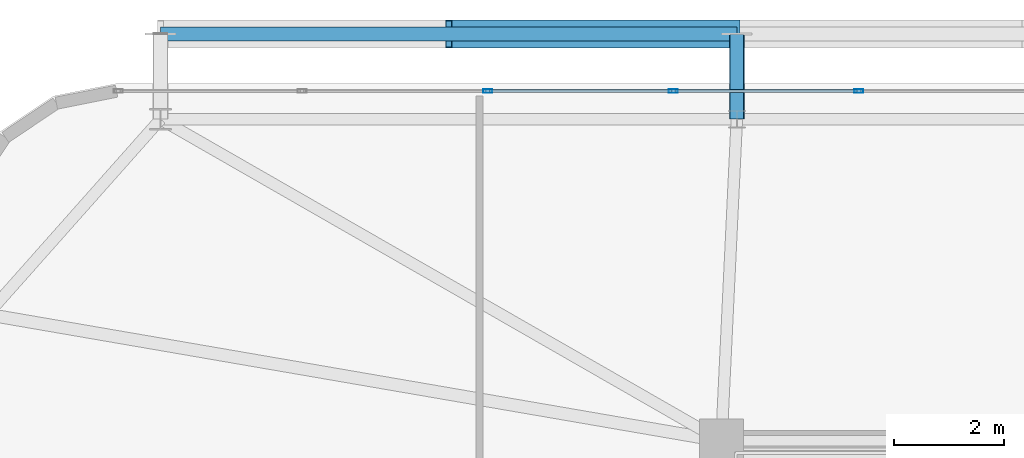
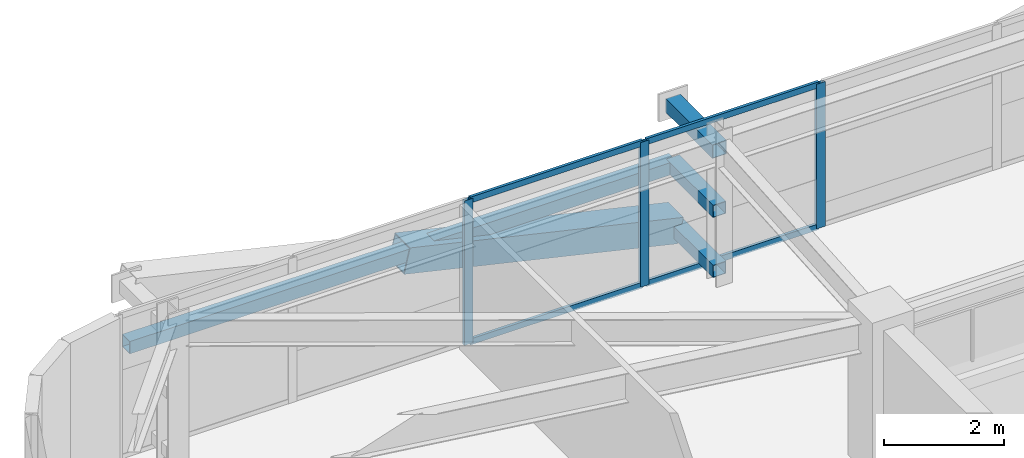
# One storey, part 35 of 59: 12 members, 1 element without a shape of its own.
"""IFC4 building model written with IfcOpenShell, lengths in metres."""

from ifc_helpers import new_model, si_unit, direction, frame, origin, origin_2d, place, context, subcontext, project, spatial, hollow_rectangle, extrude, source, transform, mapped, material, layer, layer_set, material_profile, profile_set, type_object, element, aggregate, save


model = new_model("IFC4")

# Units and contexts
model_context = context("Model", 3, precision=1e-05, world=origin(), true_north=direction((0.0, 1.0)))
body_context = subcontext(model_context, "Body", "Model", "MODEL_VIEW")
ifc_project = project(units=[si_unit("LENGTHUNIT", "METRE"), si_unit("AREAUNIT", "SQUARE_METRE"), si_unit("VOLUMEUNIT", "CUBIC_METRE"), si_unit("PLANEANGLEUNIT", "RADIAN"), si_unit("MASSUNIT", "GRAM", prefix="KILO")], contexts=[model_context])

# Site, building, storey
site_placement = place(None, origin())
site = spatial("IfcSite", under=ifc_project, at=site_placement, CompositionType="ELEMENT")
building_placement = place(site_placement, origin())
building = spatial("IfcBuilding", under=site, at=building_placement, Name="Taldren Reach Tower", CompositionType="ELEMENT")
storey_placement = place(building_placement, frame((0.0, 0.0, 45.14990234375)))
storey = spatial("IfcBuildingStorey", under=building, at=storey_placement, Name="L13", CompositionType="ELEMENT", Elevation=45.14990234375)

# Members
ifc_material_1 = material(Name="Steel Gr 450 (C450L0)", Category="steel")
ifc_material_profile_1 = material_profile(ifc_material_1, hollow_rectangle(XDim=0.27490234375, YDim=0.27490234375, WallThickness=0.00927734375, at=origin_2d()), Name="275x275x9.3SHS")
ifc_profile_set_1 = profile_set([ifc_material_profile_1], Name="Steel Gr 450 (C450L0)")
member_type_1 = type_object("IfcMemberType", Name="MB-TIE273", PredefinedType="STRUT", material=ifc_profile_set_1)
shared_shape_1 = source(origin(), body_context, "Body", "SweptSolid", [
    extrude(hollow_rectangle(XDim=0.27490234375, YDim=0.27490234375, WallThickness=0.00927734375, at=origin_2d()), origin(), (0.0, 0.0, 1.0), 1.5498046875),
])
member_1_placement = place(storey_placement, frame((19.280029296875, 37.85009765625, 2.650146484375), z_axis=(0.0, 1.0, 0.0), x_axis=(-1.0, 0.0, 0.0)))
element("IfcMember", 1, at=member_1_placement, inside=storey, type_object=member_type_1, Name="Exoskeleton diaphragm tie strut B1-N2 L13", PredefinedType="STRUT", context=body_context, shape_type="MappedRepresentation", body=[
    mapped(shared_shape_1, transform((0.0, 0.0, 0.0), scale=1.0)),
])
ifc_material_profile_2 = material_profile(ifc_material_1, hollow_rectangle(XDim=0.510009765625, YDim=0.510009765625, WallThickness=0.02001953125, at=origin_2d()), Name="510x510x20.0SHS")
ifc_profile_set_2 = profile_set([ifc_material_profile_2], Name="Steel Gr 450 (C450L0)")
member_type_2 = type_object("IfcMemberType", Name="MB-EXO508", PredefinedType="BRACE", material=ifc_profile_set_2)
shared_shape_2 = source(origin(), body_context, "Body", "SweptSolid", [
    extrude(hollow_rectangle(XDim=0.510009765625, YDim=0.510009765625, WallThickness=0.02001953125, at=origin_2d()), origin(), (0.0, 0.0, 1.0), 5.37890625),
])
member_2_placement = place(storey_placement, frame((19.280029296875, 39.39990234375, 0.22021484375), z_axis=(-0.974161966843, 0.0, 0.225850531007), x_axis=(0.0, -1.0, 0.0)))
element("IfcMember", 2, at=member_2_placement, inside=storey, type_object=member_type_2, Name="Exoskeleton Diagrid Brace B1-N1 L13", PredefinedType="BRACE", context=body_context, shape_type="MappedRepresentation", body=[
    mapped(shared_shape_2, transform((0.0, 0.0, 0.0), scale=1.0)),
])
ifc_material_2 = material(Name="Steel Gr 350 (C350L0)", Category="steel")
ifc_material_profile_3 = material_profile(ifc_material_2, hollow_rectangle(XDim=0.25, YDim=0.25, WallThickness=0.010009765625, at=origin_2d()), Name="250x250x10.0SHS")
ifc_profile_set_3 = profile_set([ifc_material_profile_3], Name="Steel Gr 350 (C350L0)")
member_type_3 = type_object("IfcMemberType", Name="MB-POST250", PredefinedType="POST", material=ifc_profile_set_3)
shared_shape_3 = source(origin(), body_context, "Body", "SweptSolid", [
    extrude(hollow_rectangle(XDim=0.25, YDim=0.25, WallThickness=0.010009765625, at=origin_2d()), origin(), (0.0, 0.0, 1.0), 10.47998046875),
])
member_3_placement = place(storey_placement, frame((8.800048828125, 39.39990234375, 1.43505859375), z_axis=(1.0, 0.0, 0.0), x_axis=(0.0, 1.0, 0.0)))
element("IfcMember", 3, at=member_3_placement, inside=storey, type_object=member_type_3, Name="Exoskeleton mid-height ring chord B1-N1 L13", PredefinedType="POST", context=body_context, shape_type="MappedRepresentation", body=[
    mapped(shared_shape_3, transform((0.0, 0.0, 0.0), scale=1.0)),
])
shared_shape_4 = source(origin(), body_context, "Body", "SweptSolid", [
    extrude(hollow_rectangle(XDim=0.25, YDim=0.25, WallThickness=0.010009765625, at=origin_2d()), origin(), (0.0, 0.0, 1.0), 1.5498046875),
])
for number, where, z_axis, x_axis, name in (
    (4, (19.280029296875, 37.85009765625, 0.22021484375), (0.0, 1.0, 0.0), (-1.0, 0.0, 0.0), "Exoskeleton base diaphragm tie strut B1-N2 L13"),
    (5, (19.280029296875, 37.85009765625, 1.43505859375), (0.0, 1.0, 0.0), (-1.0, 0.0, 0.0), "Exoskeleton mid-tier diaphragm tie B1-N2 L13"),
):
    element("IfcMember", number, at=place(storey_placement, frame(where, z_axis=z_axis, x_axis=x_axis)), inside=storey, type_object=member_type_3, Name=name, PredefinedType="POST", context=body_context, shape_type="MappedRepresentation", body=[
        mapped(shared_shape_4, transform((0.0, 0.0, 0.0), scale=1.0)),
    ])

# Curtain wall, members
ifc_material_3 = material(Name="Aluminium and Low-E Glass Unitised System", Category="aluminium")
ifc_layer = layer(ifc_material_3, 0.159912109375)
ifc_layer_set = layer_set([ifc_layer], Name="Aluminium and Low-E Glass Unitised System")
curtain_wall_type = type_object("IfcCurtainWallType", Name="CW-SYS-2", PredefinedType="NOTDEFINED", material=ifc_layer_set)
curtain_wall_placement = place(storey_placement, origin())
curtain_wall = element("IfcCurtainWall", 6, at=curtain_wall_placement, inside=storey, type_object=curtain_wall_type, Name="Unitised curtain wall CW-L13-N", PredefinedType="NOTDEFINED")
ifc_material_4 = material(Name="Anodised Aluminium 6063-T6", Category="aluminium")
ifc_material_profile_4 = material_profile(ifc_material_4, hollow_rectangle(XDim=0.054931640625, YDim=0.1201171875, WallThickness=0.0029296875, at=origin_2d()), Name="ALU-120x55x3RHS")
ifc_profile_set_4 = profile_set([ifc_material_profile_4], Name="Anodised Aluminium 6063-T6")
member_type_4 = type_object("IfcMemberType", Name="CW-TRN-135", PredefinedType="USERDEFINED", material=ifc_profile_set_4)
shared_shape_5 = source(origin(), body_context, "Body", "SweptSolid", [
    extrude(hollow_rectangle(XDim=0.054931640625, YDim=0.1201171875, WallThickness=0.0029296875, at=origin_2d()), origin(), (0.0, 0.0, 1.0), 3.31005859375),
])
member_4_placement = place(storey_placement, frame((21.467529296875, 38.360107421875, 0.027587890625), z_axis=(-1.0, 0.0, 0.0), x_axis=(0.0, -1.0, 0.0)))
member_4 = element("IfcMember", 7, at=member_4_placement, type_object=member_type_4, Name="CW-2 transom 13.1", ObjectType="TRANSOM", PredefinedType="USERDEFINED", context=body_context, shape_type="MappedRepresentation", body=[
    mapped(shared_shape_5, transform((0.0, 0.0, 0.0), scale=1.0)),
])
member_5_placement = place(storey_placement, frame((21.467529296875, 38.360107421875, 2.902587890625), z_axis=(-1.0, 0.0, 0.0), x_axis=(0.0, -1.0, 0.0)))
member_5 = element("IfcMember", 8, at=member_5_placement, type_object=member_type_4, Name="CW-2 transom 13.2", ObjectType="TRANSOM", PredefinedType="USERDEFINED", context=body_context, shape_type="MappedRepresentation", body=[
    mapped(shared_shape_5, transform((0.0, 0.0, 0.0), scale=1.0)),
])
member_6_placement = place(storey_placement, frame((18.092529296875, 38.360107421875, 0.027587890625), z_axis=(-1.0, 0.0, 0.0), x_axis=(0.0, -1.0, 0.0)))
member_6 = element("IfcMember", 9, at=member_6_placement, type_object=member_type_4, Name="CW-2 transom 14.1", ObjectType="TRANSOM", PredefinedType="USERDEFINED", context=body_context, shape_type="MappedRepresentation", body=[
    mapped(shared_shape_5, transform((0.0, 0.0, 0.0), scale=1.0)),
])
member_7_placement = place(storey_placement, frame((18.092529296875, 38.360107421875, 2.902587890625), z_axis=(-1.0, 0.0, 0.0), x_axis=(0.0, -1.0, 0.0)))
member_7 = element("IfcMember", 10, at=member_7_placement, type_object=member_type_4, Name="CW-2 transom 14.2", ObjectType="TRANSOM", PredefinedType="USERDEFINED", context=body_context, shape_type="MappedRepresentation", body=[
    mapped(shared_shape_5, transform((0.0, 0.0, 0.0), scale=1.0)),
])
ifc_material_profile_5 = material_profile(ifc_material_4, hollow_rectangle(XDim=0.06494140625, YDim=0.1650390625, WallThickness=0.00390625, at=origin_2d()), Name="ALU-165x65x4RHS")
ifc_profile_set_5 = profile_set([ifc_material_profile_5], Name="Anodised Aluminium 6063-T6")
member_type_5 = type_object("IfcMemberType", Name="CW-MUL-165", PredefinedType="MULLION", material=ifc_profile_set_5)
shared_shape_6 = source(origin(), body_context, "Body", "SweptSolid", [
    extrude(hollow_rectangle(XDim=0.06494140625, YDim=0.1650390625, WallThickness=0.00390625, at=origin_2d()), origin(), (0.0, 0.0, 1.0), 2.93017578125),
])
member_8_placement = place(storey_placement, frame((21.5, 38.360107421875, 0.0), z_axis=(0.0, 0.0, 1.0), x_axis=(0.0, -1.0, 0.0)))
member_8 = element("IfcMember", 11, at=member_8_placement, type_object=member_type_5, Name="CW-2 mullion 13", PredefinedType="MULLION", context=body_context, shape_type="MappedRepresentation", body=[
    mapped(shared_shape_6, transform((0.0, 0.0, 0.0), scale=1.0)),
])
member_9_placement = place(storey_placement, frame((18.125, 38.360107421875, 0.0), z_axis=(0.0, 0.0, 1.0), x_axis=(0.0, -1.0, 0.0)))
member_9 = element("IfcMember", 12, at=member_9_placement, type_object=member_type_5, Name="CW-2 mullion 14", PredefinedType="MULLION", context=body_context, shape_type="MappedRepresentation", body=[
    mapped(shared_shape_6, transform((0.0, 0.0, 0.0), scale=1.0)),
])
member_10_placement = place(storey_placement, frame((14.75, 38.360107421875, 0.0), z_axis=(0.0, 0.0, 1.0), x_axis=(0.0, -1.0, 0.0)))
member_10 = element("IfcMember", 13, at=member_10_placement, type_object=member_type_5, Name="CW-2 mullion 15", PredefinedType="MULLION", context=body_context, shape_type="MappedRepresentation", body=[
    mapped(shared_shape_6, transform((0.0, 0.0, 0.0), scale=1.0)),
])
aggregate(curtain_wall, [member_8, member_9, member_10, member_4, member_5, member_6, member_7])

save(model, "model.ifc")
